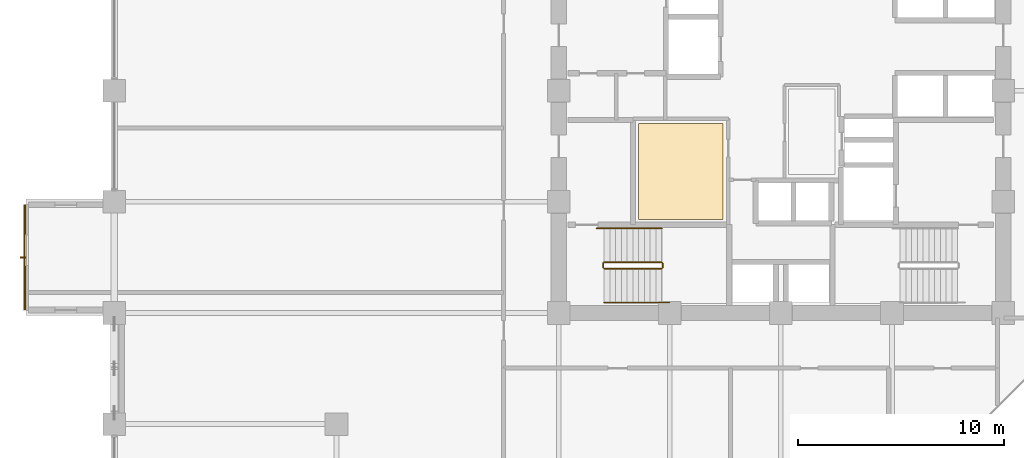
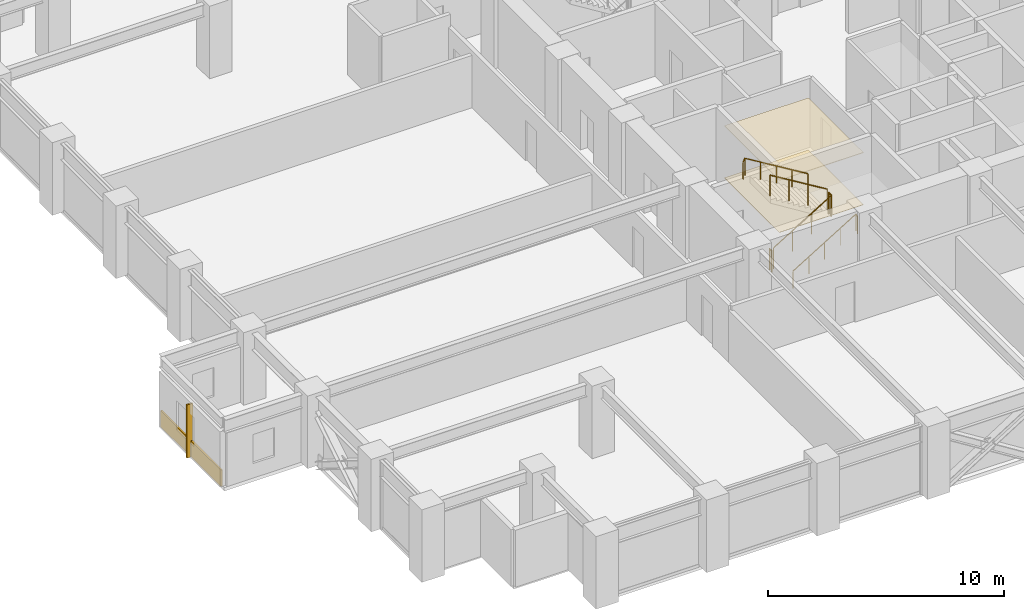
# One storey, part 26 of 29: 6 railings, 3 coverings, 1 shading device.
"""IFC4 building model written with IfcOpenShell, lengths in metres."""

from ifc_helpers import new_model, si_unit, direction, frame, origin, origin_2d, place, context, subcontext, project, spatial, polyline, rectangle, circle, outline, extrude, material, layer, layer_set, type_object, element, save


model = new_model("IFC4")

# Units and contexts
model_context = context("Model", 3, precision=1e-05, world=origin(), true_north=direction((0.0, 1.0)))
body_context = subcontext(model_context, "Body", "Model", "MODEL_VIEW")
ifc_project = project(units=[si_unit("LENGTHUNIT", "METRE"), si_unit("AREAUNIT", "SQUARE_METRE"), si_unit("VOLUMEUNIT", "CUBIC_METRE"), si_unit("PLANEANGLEUNIT", "RADIAN"), si_unit("MASSUNIT", "GRAM", prefix="KILO")], contexts=[model_context])

# Site, building, storey
site_placement = place(None, origin())
site = spatial("IfcSite", under=ifc_project, at=site_placement, CompositionType="ELEMENT")
building_placement = place(site_placement, origin())
building = spatial("IfcBuilding", under=site, at=building_placement, Name="Surkhivell Harbour Commons", CompositionType="ELEMENT")
storey_placement = place(building_placement, frame((0.0, 0.0, 90.75)))
storey = spatial("IfcBuildingStorey", under=building, at=storey_placement, Name="L23", CompositionType="ELEMENT", Elevation=90.75)

# Coverings
ifc_material_1 = material(Name="Moisture-resistant gypsum acoustic ceiling board", Category="other")
ifc_layer_1 = layer(ifc_material_1, 0.030029296875)
ifc_layer_set_1 = layer_set([ifc_layer_1], Name="Moisture-resistant gypsum acoustic ceiling board")
covering_type_1 = type_object("IfcCoveringType", Name="COV-CEIL-GYP", PredefinedType="CEILING", material=ifc_layer_set_1)
covering_1_placement = place(storey_placement, frame((0.0, 0.0, 2.68896484375)))
element("IfcCovering", 1, at=covering_1_placement, inside=storey, type_object=covering_type_1, Name="L23 Suspended Acoustic Ceiling 2", PredefinedType="CEILING", context=body_context, shape_type="SweptSolid", body=[
    extrude(outline(polyline([(-6.929931640625, -6.260009765625), (-2.820068359375, -6.260009765625), (-2.820068359375, -1.60009765625), (-6.929931640625, -1.60009765625), (-6.929931640625, -6.260009765625)])), origin(), (0.0, 0.0, 1.0), 0.030029296875),
])
ifc_material_2 = material(Name="Vermilion-coral enamelled aluminium cassette panel", Category="aluminium")
ifc_layer_2 = layer(ifc_material_2, 0.074951171875)
ifc_layer_set_2 = layer_set([ifc_layer_2], Name="Vermilion-coral enamelled aluminium cassette panel")
covering_type_2 = type_object("IfcCoveringType", Name="COV-CLAD-VER", PredefinedType="CLADDING", material=ifc_layer_set_2)
covering_2_placement = place(storey_placement, frame((-36.739990234375, -8.10009765625, 0.0), z_axis=(0.0, 0.0, 1.0), x_axis=(1.0, 0.0, 0.0)))
element("IfcCovering", 2, at=covering_2_placement, inside=storey, type_object=covering_type_2, Name="L23 Coloured-Panel Box Spandrel Cassette 02", PredefinedType="CLADDING", context=body_context, shape_type="SweptSolid", body=[
    extrude(rectangle(XDim=0.080078125, YDim=5.10009765625, at=origin_2d()), origin(), (0.0, 0.0, 1.0), 0.840087890625),
])
ifc_material_3 = material(Name="Engineered acoustic oak timber flooring", Category="wood")
ifc_layer_3 = layer(ifc_material_3, 0.02001953125)
ifc_layer_set_3 = layer_set([ifc_layer_3], Name="Engineered acoustic oak timber flooring")
covering_type_3 = type_object("IfcCoveringType", Name="COV-FLR-TIM", PredefinedType="FLOORING", material=ifc_layer_set_3)
covering_3_placement = place(storey_placement, origin())
element("IfcCovering", 3, at=covering_3_placement, inside=storey, type_object=covering_type_3, Name="L23 Interior Floor Finish 2", PredefinedType="FLOORING", context=body_context, shape_type="SweptSolid", body=[
    extrude(outline(polyline([(-6.929931640625, -6.260009765625), (-2.820068359375, -6.260009765625), (-2.820068359375, -1.60009765625), (-6.929931640625, -1.60009765625), (-6.929931640625, -6.260009765625)])), origin(), (0.0, 0.0, 1.0), 0.02001953125),
])

# Railings
ifc_material_4 = material(Name="Galvanised and painted steel S355 guard rail", Category="steel")
railing_type_1 = type_object("IfcRailingType", Name="RAL-ST-GRD1100", PredefinedType="GUARDRAIL", material=ifc_material_4)
railing_1_placement = place(storey_placement, frame((-8.590087890625, -8.639892578125, 0.17041015625)))
element("IfcRailing", 4, at=railing_1_placement, inside=storey, type_object=railing_type_1, Name="L23 ST3 stair guard 1", PredefinedType="GUARDRAIL", context=body_context, shape_type="SweptSolid", body=[
    extrude(circle(Radius=0.02392578125, at=origin_2d()), frame((0.0, 0.0, 1.076171875), z_axis=(0.854169791009, 0.0, 0.51999420009), x_axis=(0.0, 1.0, 0.0)), (0.0, 0.0, 1.0), 3.278076171875),
    extrude(circle(Radius=0.02099609375, at=origin_2d()), origin(), (0.0, 0.0, 1.0), 1.052001953125),
    extrude(circle(Radius=0.02099609375, at=origin_2d()), frame((0.933349609375, 0.0, 0.568115234375)), (0.0, 0.0, 1.0), 1.052001953125),
    extrude(circle(Radius=0.02099609375, at=origin_2d()), frame((1.86669921875, 0.0, 1.136474609375)), (0.0, 0.0, 1.0), 1.052001953125),
    extrude(circle(Radius=0.02099609375, at=origin_2d()), frame((2.800048828125, 0.0, 1.70458984375)), (0.0, 0.0, 1.0), 1.052001953125),
])
railing_2_placement = place(storey_placement, frame((-5.739990234375, -8.590087890625, 1.875)))
element("IfcRailing", 5, at=railing_2_placement, inside=storey, type_object=railing_type_1, Name="L23 ST3 stair guard 2", PredefinedType="GUARDRAIL", context=body_context, shape_type="SweptSolid", body=[
    extrude(circle(Radius=0.02392578125, at=origin_2d()), frame((0.0, 0.0, 1.076171875), z_axis=(0.0, 1.0, 0.0), x_axis=(-1.0, 0.0, 0.0)), (0.0, 0.0, 1.0), 0.2001953125),
    extrude(circle(Radius=0.02099609375, at=origin_2d()), origin(), (0.0, 0.0, 1.0), 1.052001953125),
    extrude(circle(Radius=0.02099609375, at=origin_2d()), frame((0.0, 0.2001953125, 0.0)), (0.0, 0.0, 1.0), 1.052001953125),
])
railing_3_placement = place(storey_placement, frame((-5.7900390625, -8.340087890625, 2.04541015625)))
element("IfcRailing", 6, at=railing_3_placement, inside=storey, type_object=railing_type_1, Name="L23 ST3 stair guard 3", PredefinedType="GUARDRAIL", context=body_context, shape_type="SweptSolid", body=[
    extrude(circle(Radius=0.02392578125, at=origin_2d()), frame((0.0, 0.0, 1.076171875), z_axis=(-0.854169791009, 0.0, 0.51999420009), x_axis=(0.0, -1.0, 0.0)), (0.0, 0.0, 1.0), 3.278076171875),
    extrude(circle(Radius=0.02099609375, at=origin_2d()), origin(), (0.0, 0.0, 1.0), 1.052001953125),
    extrude(circle(Radius=0.02099609375, at=origin_2d()), frame((-0.933349609375, 0.0, 0.568115234375)), (0.0, 0.0, 1.0), 1.052001953125),
    extrude(circle(Radius=0.02099609375, at=origin_2d()), frame((-1.86669921875, 0.0, 1.136474609375)), (0.0, 0.0, 1.0), 1.052001953125),
    extrude(circle(Radius=0.02099609375, at=origin_2d()), frame((-2.800048828125, 0.0, 1.70458984375)), (0.0, 0.0, 1.0), 1.052001953125),
])
railing_4_placement = place(storey_placement, frame((-8.639892578125, -8.590087890625, 0.0)))
element("IfcRailing", 7, at=railing_4_placement, inside=storey, type_object=railing_type_1, Name="L23 ST3 stair guard 4", PredefinedType="GUARDRAIL", context=body_context, shape_type="SweptSolid", body=[
    extrude(circle(Radius=0.02392578125, at=origin_2d()), frame((0.0, 0.0, 1.076171875), z_axis=(0.0, 1.0, 0.0), x_axis=(-1.0, 0.0, 0.0)), (0.0, 0.0, 1.0), 0.2001953125),
    extrude(circle(Radius=0.02099609375, at=origin_2d()), origin(), (0.0, 0.0, 1.0), 1.052001953125),
    extrude(circle(Radius=0.02099609375, at=origin_2d()), frame((0.0, 0.2001953125, 0.0)), (0.0, 0.0, 1.0), 1.052001953125),
])
ifc_material_5 = material(Name="Brushed stainless steel S355 handrail", Category="steel")
railing_type_2 = type_object("IfcRailingType", Name="RAL-ST-HND900", PredefinedType="HANDRAIL", material=ifc_material_5)
railing_5_placement = place(storey_placement, frame((-8.590087890625, -10.2900390625, 0.17041015625)))
element("IfcRailing", 8, at=railing_5_placement, inside=storey, type_object=railing_type_2, Name="L23 ST3 stair handrail 1", PredefinedType="HANDRAIL", context=body_context, shape_type="SweptSolid", body=[
    extrude(circle(Radius=0.02392578125, at=origin_2d()), frame((0.0, 0.0, 0.8759765625), z_axis=(0.854177636135, 0.0, 0.519981313056), x_axis=(0.0, 1.0, 0.0)), (0.0, 0.0, 1.0), 3.60595703125),
    extrude(circle(Radius=0.02392578125, at=origin_2d()), frame((3.080078125, 0.0, 2.7509765625), z_axis=(0.425297416671, 0.0, -0.905053648892), x_axis=(0.0, 1.0, 0.0)), (0.0, 0.0, 1.0), 0.188232421875),
    extrude(circle(Radius=0.02099609375, at=origin_2d()), origin(), (0.0, 0.0, 1.0), 0.851806640625),
    extrude(circle(Radius=0.02099609375, at=origin_2d()), frame((0.77001953125, 0.0, 0.46875)), (0.0, 0.0, 1.0), 0.851806640625),
    extrude(circle(Radius=0.02099609375, at=origin_2d()), frame((1.5400390625, 0.0, 0.9375)), (0.0, 0.0, 1.0), 0.851806640625),
    extrude(circle(Radius=0.02099609375, at=origin_2d()), frame((2.31005859375, 0.0, 1.40625)), (0.0, 0.0, 1.0), 0.851806640625),
    extrude(circle(Radius=0.02099609375, at=origin_2d()), frame((3.080078125, 0.0, 1.875)), (0.0, 0.0, 1.0), 0.851806640625),
    extrude(circle(Radius=0.02099609375, at=origin_2d()), frame((3.16015625, 0.0, 1.70458984375)), (0.0, 0.0, 1.0), 0.851806640625),
])
railing_6_placement = place(storey_placement, frame((-5.7900390625, -6.68994140625, 2.04541015625)))
element("IfcRailing", 9, at=railing_6_placement, inside=storey, type_object=railing_type_2, Name="L23 ST3 stair handrail 2", PredefinedType="HANDRAIL", context=body_context, shape_type="SweptSolid", body=[
    extrude(circle(Radius=0.02392578125, at=origin_2d()), frame((0.0, 0.0, 0.8759765625), z_axis=(-0.854177636135, 0.0, 0.519981313056), x_axis=(0.0, -1.0, 0.0)), (0.0, 0.0, 1.0), 3.60595703125),
    extrude(circle(Radius=0.02392578125, at=origin_2d()), frame((-3.080078125, 0.0, 2.7509765625), z_axis=(-0.424234432967, 0.0, -0.905552398199), x_axis=(0.0, -1.0, 0.0)), (0.0, 0.0, 1.0), 0.188232421875),
    extrude(circle(Radius=0.02099609375, at=origin_2d()), origin(), (0.0, 0.0, 1.0), 0.851806640625),
    extrude(circle(Radius=0.02099609375, at=origin_2d()), frame((-0.77001953125, 0.0, 0.46875)), (0.0, 0.0, 1.0), 0.851806640625),
    extrude(circle(Radius=0.02099609375, at=origin_2d()), frame((-1.5400390625, 0.0, 0.9375)), (0.0, 0.0, 1.0), 0.851806640625),
    extrude(circle(Radius=0.02099609375, at=origin_2d()), frame((-2.31005859375, 0.0, 1.40625)), (0.0, 0.0, 1.0), 0.851806640625),
    extrude(circle(Radius=0.02099609375, at=origin_2d()), frame((-3.080078125, 0.0, 1.875)), (0.0, 0.0, 1.0), 0.851806640625),
    extrude(circle(Radius=0.02099609375, at=origin_2d()), frame((-3.159912109375, 0.0, 1.70458984375)), (0.0, 0.0, 1.0), 0.851806640625),
])

# Shading device
ifc_material_6 = material(Name="Champagne anodised aluminium solar fin", Category="aluminium")
shading_device_type = type_object("IfcShadingDeviceType", Name="SHD-FIN-SLIM", PredefinedType="USERDEFINED", material=ifc_material_6)
shading_device_placement = place(storey_placement, frame((-36.840087890625, -8.10009765625, 0.0048828125), z_axis=(0.0, 0.0, 1.0), x_axis=(1.0, 0.0, 0.0)))
element("IfcShadingDevice", 10, at=shading_device_placement, inside=storey, type_object=shading_device_type, Name="L23 Coloured-Box Solar Fin 02", ObjectType="FIN", PredefinedType="USERDEFINED", context=body_context, shape_type="SweptSolid", body=[
    extrude(rectangle(XDim=0.280029296875, YDim=0.080078125, at=origin_2d()), origin(), (0.0, 0.0, 1.0), 2.75),
])

save(model, "model.ifc")
